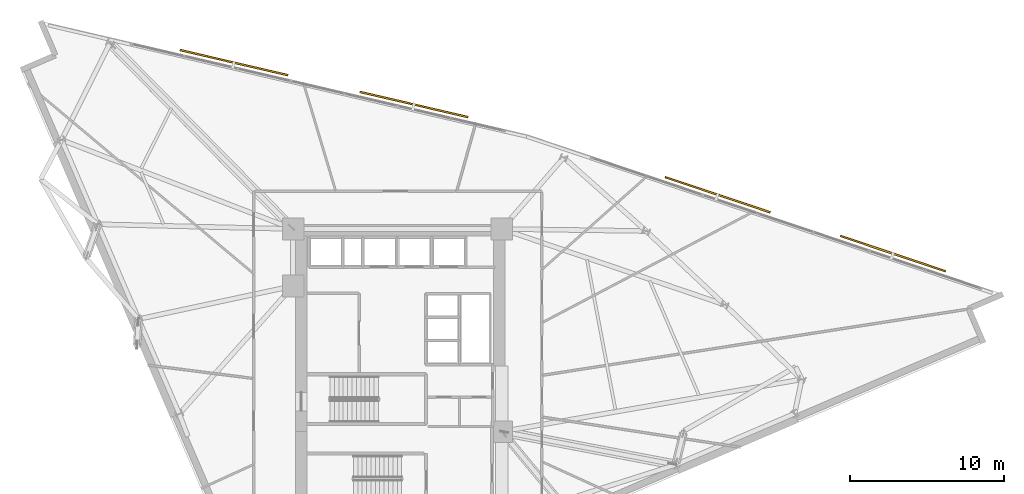
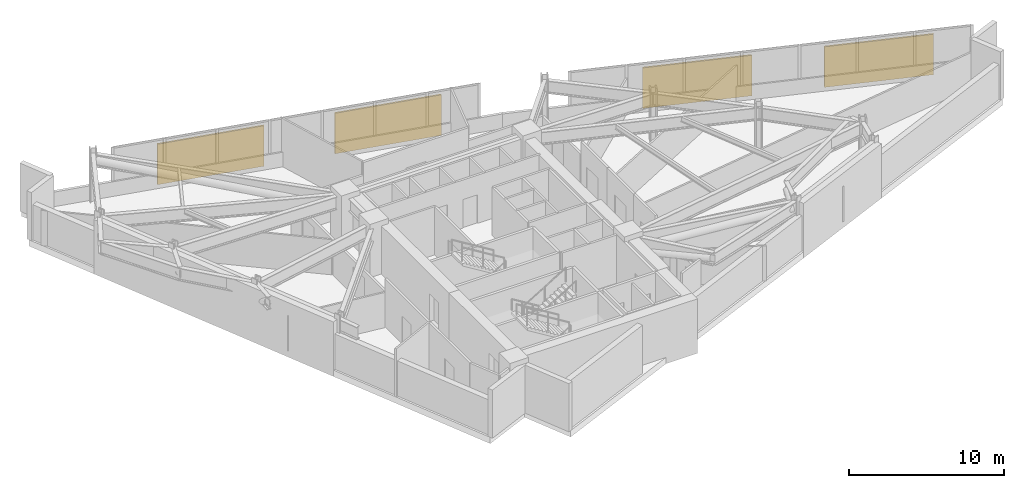
# One storey, part 14 of 14: 4 shading devices.
"""IFC4 building model written with IfcOpenShell, lengths in metres."""

from ifc_helpers import new_model, si_unit, direction, frame, origin, origin_2d, place, context, subcontext, project, spatial, rectangle, extrude, material, layer, layer_set, type_object, element, save


model = new_model("IFC4")

# Units and contexts
model_context = context("Model", 3, precision=1e-05, world=origin(), true_north=direction((0.0, 1.0)))
body_context = subcontext(model_context, "Body", "Model", "MODEL_VIEW")
ifc_project = project(units=[si_unit("LENGTHUNIT", "METRE"), si_unit("AREAUNIT", "SQUARE_METRE"), si_unit("VOLUMEUNIT", "CUBIC_METRE"), si_unit("PLANEANGLEUNIT", "RADIAN"), si_unit("MASSUNIT", "GRAM", prefix="KILO")], contexts=[model_context])

# Site, building, storey
site_placement = place(None, origin())
site = spatial("IfcSite", under=ifc_project, at=site_placement, CompositionType="ELEMENT")
building_placement = place(site_placement, origin())
building = spatial("IfcBuilding", under=site, at=building_placement, Name="Narakoshi Arena Tower", CompositionType="ELEMENT")
storey_placement = place(building_placement, frame((0.0, 0.0, 196.699951171875)))
storey = spatial("IfcBuildingStorey", under=building, at=storey_placement, Name="L53", CompositionType="ELEMENT", Elevation=196.699951171875)

# Shading devices
ifc_material = material(Name="Anodised bronze aluminium 6063-T6", Category="aluminium")
ifc_layer = layer(ifc_material, 0.1201171875)
ifc_layer_set = layer_set([ifc_layer], Name="Anodised bronze aluminium 6063-T6")
shading_device_type = type_object("IfcShadingDeviceType", Name="SHD-LVR-PLT", PredefinedType="JALOUSIE", material=ifc_layer_set)
for number, where, z_axis, x_axis, name in (
    (1, (110.931640625, 54.903076171875, 0.0), (0.0, 0.0, 1.0), (-0.948001964735, 0.318264473134, 0.0), "L53 Outrigger Plant Louvre Bank 1-1"),
    (2, (99.5556640625, 58.722412109375, 0.0), (0.0, 0.0, 1.0), (-0.948001964735, 0.318264473134, 0.0), "L53 Outrigger Plant Louvre Bank 1-2"),
    (3, (79.84912109375, 64.5751953125, 0.0), (0.0, 0.0, 1.0), (-0.973960141659, 0.226719303234, 0.0), "L53 Outrigger Plant Louvre Bank 2-1"),
    (4, (68.16162109375, 67.2958984375, 0.0), (0.0, 0.0, 1.0), (-0.973960141659, 0.226719303234, 0.0), "L53 Outrigger Plant Louvre Bank 2-2"),
):
    element("IfcShadingDevice", number, at=place(storey_placement, frame(where, z_axis=z_axis, x_axis=x_axis)), inside=storey, type_object=shading_device_type, Name=name, PredefinedType="JALOUSIE", context=body_context, shape_type="SweptSolid", body=[
        extrude(rectangle(XDim=7.199951171875, YDim=0.1201171875, at=origin_2d()), origin(), (0.0, 0.0, 1.0), 3.199951171875),
    ])

save(model, "model.ifc")
